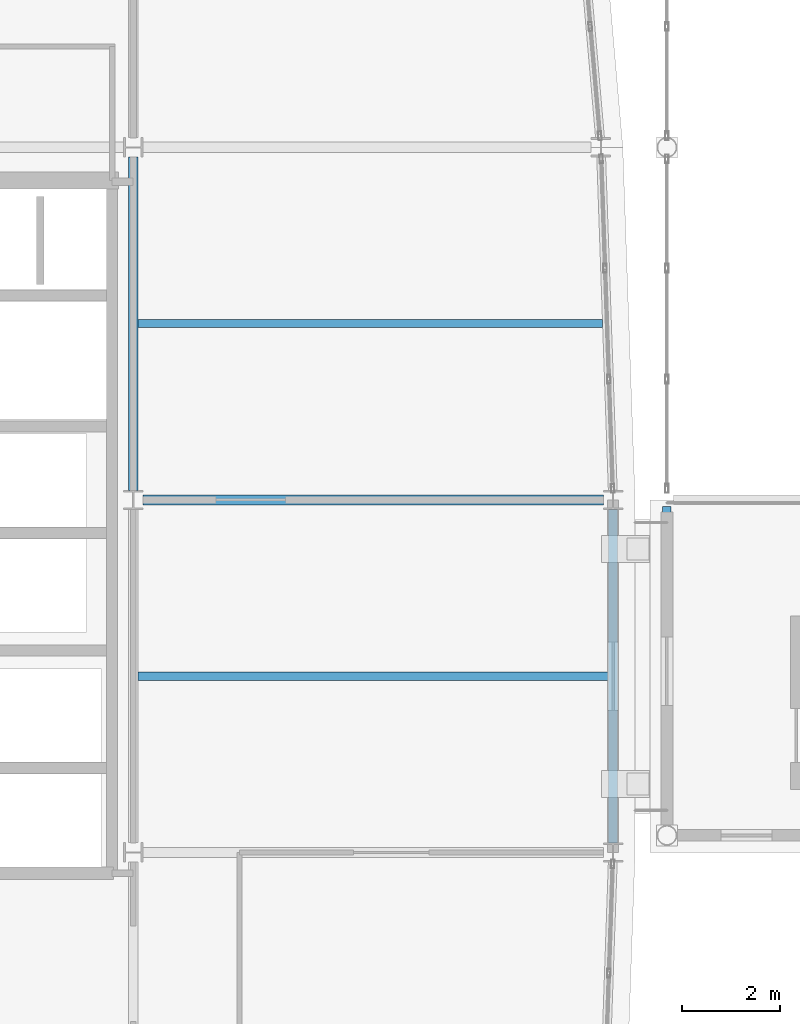
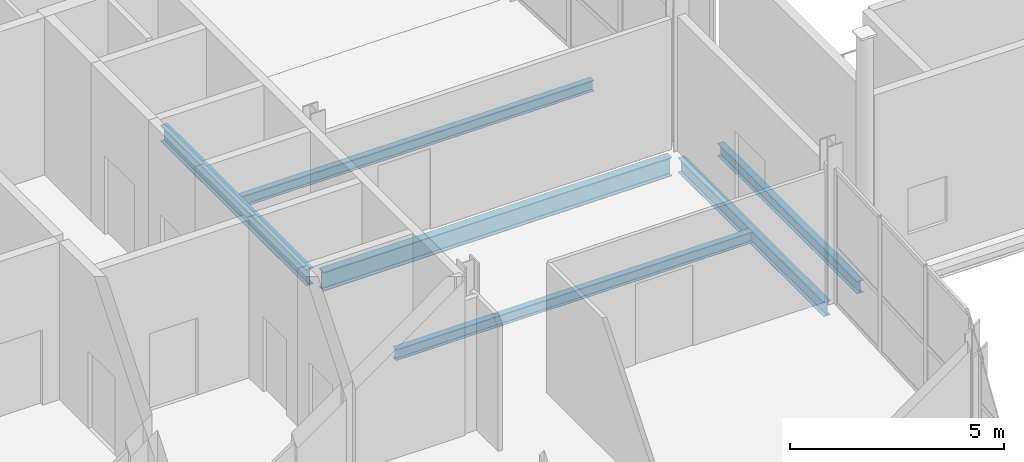
# One storey, part 31 of 77: 6 beams.
"""IFC4 building model written with IfcOpenShell, lengths in metres."""

from ifc_helpers import new_model, si_unit, direction, frame, origin, origin_2d, place, context, subcontext, project, spatial, i_section, extrude, material, material_profile, profile_set, type_object, element, save


model = new_model("IFC4")

# Units and contexts
model_context = context("Model", 3, precision=1e-05, world=origin(), true_north=direction((0.0, 1.0)))
body_context = subcontext(model_context, "Body", "Model", "MODEL_VIEW")
ifc_project = project(units=[si_unit("LENGTHUNIT", "METRE"), si_unit("AREAUNIT", "SQUARE_METRE"), si_unit("VOLUMEUNIT", "CUBIC_METRE"), si_unit("PLANEANGLEUNIT", "RADIAN"), si_unit("MASSUNIT", "GRAM", prefix="KILO")], contexts=[model_context])

# Site, building, storey
site_placement = place(None, origin())
site = spatial("IfcSite", under=ifc_project, at=site_placement, CompositionType="ELEMENT")
building_placement = place(site_placement, origin())
building = spatial("IfcBuilding", under=site, at=building_placement, Name="Quillay Park Conservatory", CompositionType="ELEMENT")
storey_placement = place(building_placement, frame((0.0, 0.0, 5.39990234375)))
storey = spatial("IfcBuildingStorey", under=building, at=storey_placement, Name="L01", CompositionType="ELEMENT", Elevation=5.39990234375)

# Beams
ifc_material_1 = material(Name="Steel ASTM A992 Grade 50", Category="steel")
ifc_material_profile_1 = material_profile(ifc_material_1, i_section(OverallWidth=0.166015625, OverallDepth=0.31298828125, WebThickness=0.006591796875, FlangeThickness=0.01123046875, FilletRadius=0.010009765625, at=origin_2d()), Name="W310x45")
ifc_profile_set_1 = profile_set([ifc_material_profile_1], Name="Steel ASTM A992 Grade 50")
beam_type_1 = type_object("IfcBeamType", Name="COMPOSITE FLOOR JOIST W310 X45", PredefinedType="JOIST", material=ifc_profile_set_1)
beam_1_placement = place(storey_placement, frame((19.845947265625, 88.800048828125, -0.3564453125), z_axis=(1.0, 0.0, 0.0), x_axis=(0.0, 1.0, 0.0)))
element("IfcBeam", 1, at=beam_1_placement, inside=storey, type_object=beam_type_1, Name="L01 beam BM-J-0155", PredefinedType="JOIST", context=body_context, shape_type="SweptSolid", body=[
    extrude(i_section(OverallWidth=0.166015625, OverallDepth=0.31298828125, WebThickness=0.006591796875, FlangeThickness=0.01123046875, FilletRadius=0.010009765625, at=origin_2d()), origin(), (0.0, 0.0, 1.0), 9.614013671875),
])
beam_2_placement = place(storey_placement, frame((19.845947265625, 96.0, -0.3564453125), z_axis=(1.0, 0.0, 0.0), x_axis=(0.0, 1.0, 0.0)))
element("IfcBeam", 2, at=beam_2_placement, inside=storey, type_object=beam_type_1, Name="L01 beam BM-J-0161", PredefinedType="JOIST", context=body_context, shape_type="SweptSolid", body=[
    extrude(i_section(OverallWidth=0.166015625, OverallDepth=0.31298828125, WebThickness=0.006591796875, FlangeThickness=0.01123046875, FilletRadius=0.010009765625, at=origin_2d()), origin(), (0.0, 0.0, 1.0), 9.489013671875),
])
ifc_material_2 = material(Name="Steel ASTM A992 Grade 50", Category="steel")
ifc_material_profile_2 = material_profile(ifc_material_2, i_section(OverallWidth=0.172119140625, OverallDepth=0.35791015625, WebThickness=0.0078125, FlangeThickness=0.01318359375, FilletRadius=0.010986328125, at=origin_2d()), Name="W360x57")
ifc_profile_set_2 = profile_set([ifc_material_profile_2], Name="Steel ASTM A992 Grade 50")
beam_type_2 = type_object("IfcBeamType", Name="COMPOSITE FLOOR JOIST W360 X57", PredefinedType="JOIST", material=ifc_profile_set_2)
beam_3_placement = place(storey_placement, frame((30.64990234375, 85.7529296875, -0.388916015625), z_axis=(0.0, 1.0, 0.0), x_axis=(-1.0, 0.0, 0.0)))
element("IfcBeam", 3, at=beam_3_placement, inside=storey, type_object=beam_type_2, Name="L01 beam BM-V1WKT-1663", PredefinedType="JOIST", context=body_context, shape_type="SweptSolid", body=[
    extrude(i_section(OverallWidth=0.172119140625, OverallDepth=0.35791015625, WebThickness=0.0078125, FlangeThickness=0.01318359375, FilletRadius=0.010986328125, at=origin_2d()), origin(), (0.0, 0.0, 1.0), 6.51708984375),
])
ifc_material_3 = material(Name="Steel ASTM A992 Grade 50", Category="steel")
ifc_material_profile_3 = material_profile(ifc_material_3, i_section(OverallWidth=0.179931640625, OverallDepth=0.4130859375, WebThickness=0.009765625, FlangeThickness=0.01611328125, FilletRadius=0.011962890625, at=origin_2d()), Name="W410x74")
ifc_profile_set_3 = profile_set([ifc_material_profile_3], Name="Steel ASTM A992 Grade 50")
beam_type_3 = type_object("IfcBeamType", Name="PERIMETER SPANDREL BEAM W410 X74", PredefinedType="SPANDREL", material=ifc_profile_set_3)
beam_4_placement = place(storey_placement, frame((29.550048828125, 85.396484375, -0.406494140625), z_axis=(0.0, 1.0, 0.0), x_axis=(-1.0, 0.0, 0.0)))
element("IfcBeam", 4, at=beam_4_placement, inside=storey, type_object=beam_type_3, Name="L01 beam BM-SPE-0151", PredefinedType="SPANDREL", context=body_context, shape_type="SweptSolid", body=[
    extrude(i_section(OverallWidth=0.179931640625, OverallDepth=0.4130859375, WebThickness=0.009765625, FlangeThickness=0.01611328125, FilletRadius=0.011962890625, at=origin_2d()), origin(), (0.0, 0.0, 1.0), 6.80712890625),
])
ifc_material_4 = material(Name="Steel ASTM A992 Grade 50", Category="steel")
ifc_material_profile_4 = material_profile(ifc_material_4, i_section(OverallWidth=0.19189453125, OverallDepth=0.462890625, WebThickness=0.010498046875, FlangeThickness=0.017578125, FilletRadius=0.012939453125, at=origin_2d()), Name="W460x89")
ifc_profile_set_4 = profile_set([ifc_material_profile_4], Name="Steel ASTM A992 Grade 50")
beam_type_4 = type_object("IfcBeamType", Name="PRIMARY FLOOR GIRDER W460 X89", PredefinedType="BEAM", material=ifc_profile_set_4)
beam_5_placement = place(storey_placement, frame((19.75, 92.596435546875, -0.431396484375), z_axis=(0.0, 1.0, 0.0), x_axis=(-1.0, 0.0, 0.0)))
element("IfcBeam", 5, at=beam_5_placement, inside=storey, type_object=beam_type_4, Name="L01 beam BM-GNS-0159", PredefinedType="BEAM", context=body_context, shape_type="SweptSolid", body=[
    extrude(i_section(OverallWidth=0.19189453125, OverallDepth=0.462890625, WebThickness=0.010498046875, FlangeThickness=0.017578125, FilletRadius=0.012939453125, at=origin_2d()), origin(), (0.0, 0.0, 1.0), 6.803955078125),
])
ifc_material_5 = material(Name="Steel ASTM A992 Grade 50", Category="steel")
ifc_material_profile_5 = material_profile(ifc_material_5, i_section(OverallWidth=0.2109375, OverallDepth=0.5390625, WebThickness=0.01171875, FlangeThickness=0.018798828125, FilletRadius=0.013916015625, at=origin_2d()), Name="W530x109")
ifc_profile_set_5 = profile_set([ifc_material_profile_5], Name="Steel ASTM A992 Grade 50")
beam_type_5 = type_object("IfcBeamType", Name="PRIMARY FLOOR GIRDER W530 X109", PredefinedType="BEAM", material=ifc_profile_set_5)
beam_6_placement = place(storey_placement, frame((19.949462890625, 92.39990234375, -0.469482421875), z_axis=(1.0, 0.0, 0.0), x_axis=(0.0, 1.0, 0.0)))
element("IfcBeam", 6, at=beam_6_placement, inside=storey, type_object=beam_type_5, Name="L01 beam BM-G-0120", PredefinedType="BEAM", context=body_context, shape_type="SweptSolid", body=[
    extrude(i_section(OverallWidth=0.2109375, OverallDepth=0.5390625, WebThickness=0.01171875, FlangeThickness=0.018798828125, FilletRadius=0.013916015625, at=origin_2d()), origin(), (0.0, 0.0, 1.0), 9.401123046875),
])

save(model, "model.ifc")
